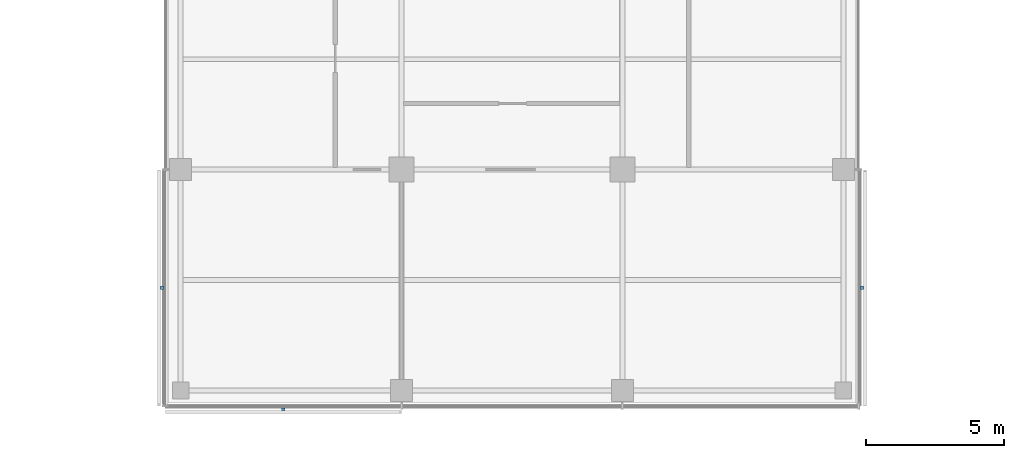
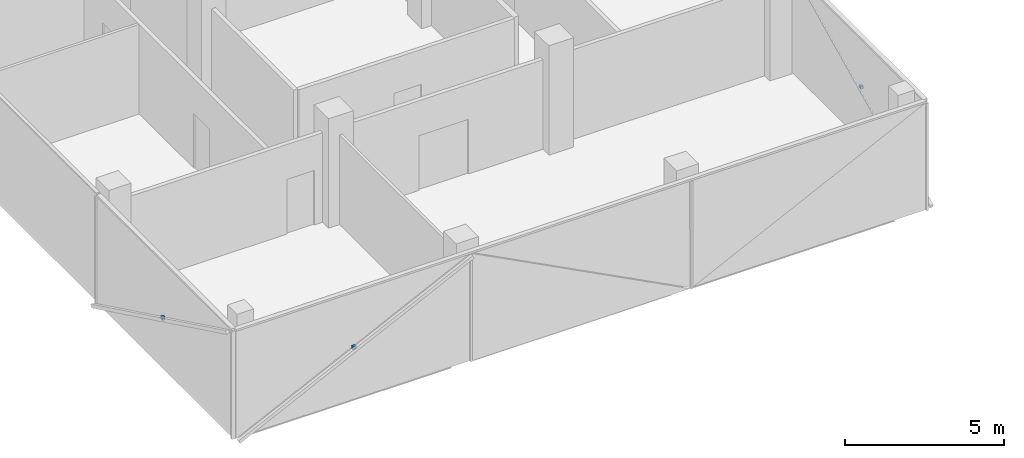
# One storey, part 13 of 15: 3 discrete accessories.
"""IFC4 building model written with IfcOpenShell, lengths in metres."""

from ifc_helpers import new_model, si_unit, direction, frame, origin, origin_2d, place, context, subcontext, project, spatial, rectangle, extrude, material, type_object, element, save


model = new_model("IFC4")

# Units and contexts
model_context = context("Model", 3, precision=1e-05, world=origin(), true_north=direction((0.0, 1.0)))
body_context = subcontext(model_context, "Body", "Model", "MODEL_VIEW")
ifc_project = project(units=[si_unit("LENGTHUNIT", "METRE"), si_unit("AREAUNIT", "SQUARE_METRE"), si_unit("VOLUMEUNIT", "CUBIC_METRE"), si_unit("PLANEANGLEUNIT", "RADIAN"), si_unit("MASSUNIT", "GRAM", prefix="KILO")], contexts=[model_context])

# Site, building, storey
site_placement = place(None, origin())
site = spatial("IfcSite", under=ifc_project, at=site_placement, CompositionType="ELEMENT")
building_placement = place(site_placement, origin())
building = spatial("IfcBuilding", under=site, at=building_placement, Name="Crosswind Convention Tower", CompositionType="ELEMENT")
storey_placement = place(building_placement, frame((0.0, 0.0, 220.89990234375)))
storey = spatial("IfcBuildingStorey", under=building, at=storey_placement, Name="L47", CompositionType="ELEMENT", Elevation=220.89990234375)

# Discrete accessories
ifc_material = material(Name="Stainless steel", Category="steel")
discrete_accessory_type = type_object("IfcDiscreteAccessoryType", Name="BAGUETTE BRACKET BK3", PredefinedType="BRACKET", material=ifc_material)
for number, where, z_axis, x_axis, name in (
    (1, (112.323974609375, 75.719970703125, 1.705078125), (0.0, 0.0, 1.0), (0.0, -1.0, 0.0), "BK3 baguette bracket"),
    (2, (116.719970703125, 71.323974609375, 1.705078125), (0.0, 0.0, 1.0), (1.0, 0.0, 0.0), "BK3 baguette bracket"),
    (3, (137.676025390625, 75.719970703125, 1.705078125), (0.0, 0.0, 1.0), (0.0, 1.0, 0.0), "BK3 baguette bracket"),
):
    element("IfcDiscreteAccessory", number, at=place(storey_placement, frame(where, z_axis=z_axis, x_axis=x_axis)), inside=storey, type_object=discrete_accessory_type, Name=name, PredefinedType="BRACKET", context=body_context, shape_type="SweptSolid", body=[
        extrude(rectangle(XDim=0.1201171875, YDim=0.10009765625, at=origin_2d()), origin(), (0.0, 0.0, 1.0), 0.1201171875),
    ])

save(model, "model.ifc")
